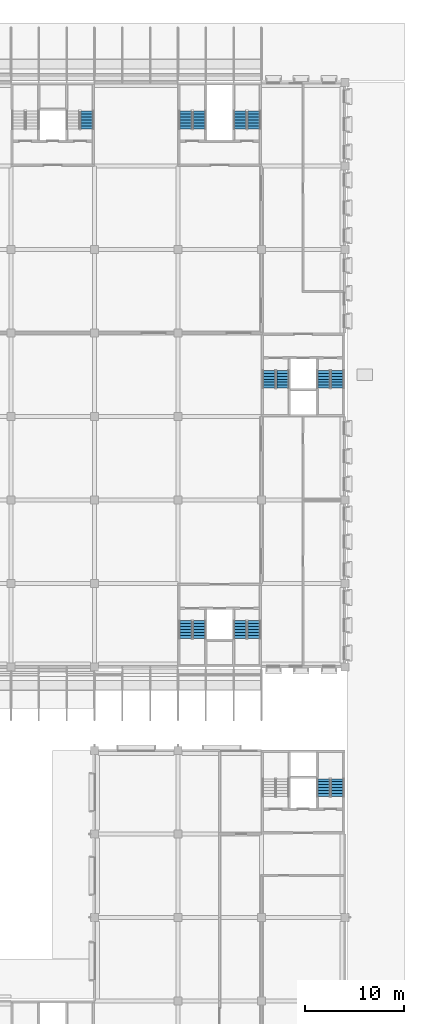
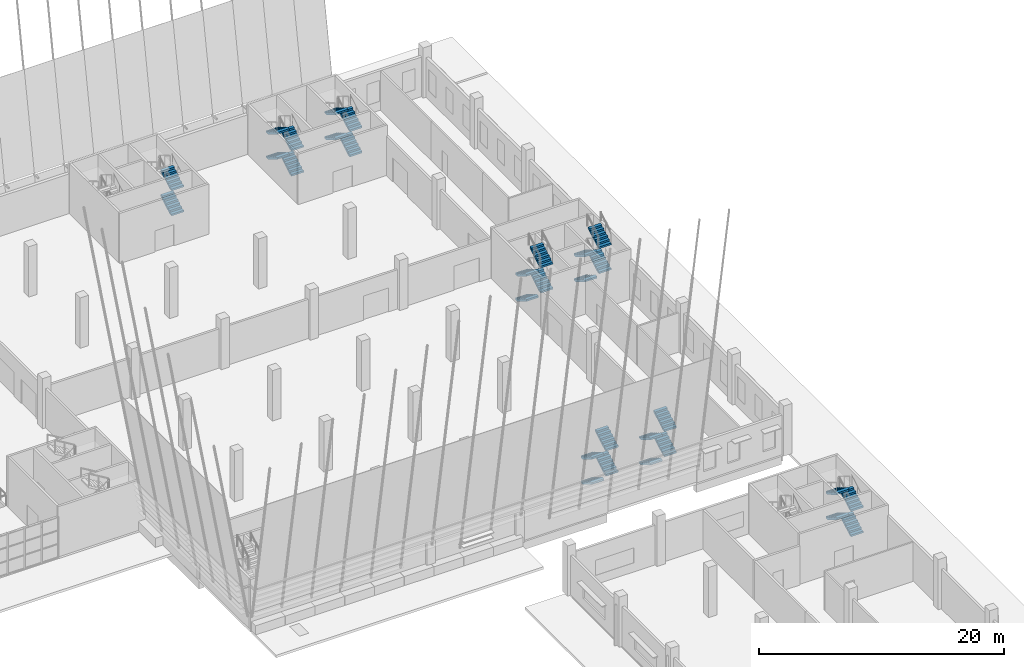
# One storey, part 46 of 101: 30 stair flights, 8 elements without a shape of their own.
"""IFC4 building model written with IfcOpenShell, lengths in metres."""

from ifc_helpers import new_model, si_unit, direction, frame, origin, place, context, subcontext, project, spatial, polyline, outline, extrude, material, type_object, element, aggregate, save


model = new_model("IFC4")

# Units and contexts
model_context = context("Model", 3, precision=1e-05, world=origin(), true_north=direction((0.0, 1.0)))
body_context = subcontext(model_context, "Body", "Model", "MODEL_VIEW")
ifc_project = project(units=[si_unit("LENGTHUNIT", "METRE"), si_unit("AREAUNIT", "SQUARE_METRE"), si_unit("VOLUMEUNIT", "CUBIC_METRE"), si_unit("PLANEANGLEUNIT", "RADIAN"), si_unit("MASSUNIT", "GRAM", prefix="KILO")], contexts=[model_context])

# Site, building, storey
site_placement = place(None, origin())
site = spatial("IfcSite", under=ifc_project, at=site_placement, CompositionType="ELEMENT")
building_placement = place(site_placement, origin())
building = spatial("IfcBuilding", under=site, at=building_placement, Name="Almond Square Museum", CompositionType="ELEMENT")
storey_placement = place(building_placement, frame((0.0, 0.0, 5.5)))
storey = spatial("IfcBuildingStorey", under=building, at=storey_placement, Name="L01", CompositionType="ELEMENT", Elevation=5.5)

# Stair, stair flights
ifc_material_1 = material(Name="Concrete C40/50", Category="concrete")
stair_type = type_object("IfcStairType", Name="Exit stair 28 risers of 179 mm", PredefinedType="HALF_TURN_STAIR", material=ifc_material_1)
stair_1_placement = place(storey_placement, origin())
stair_1 = element("IfcStair", 1, at=stair_1_placement, inside=storey, type_object=stair_type, Name="L01 stair H2-1", PredefinedType="HALF_TURN_STAIR")
ifc_material_2 = material(Name="Concrete C40/50", Category="concrete")
stair_flight_type = type_object("IfcStairFlightType", Name="Concrete flight", PredefinedType="STRAIGHT", material=ifc_material_2)
stair_flight_1_placement = place(storey_placement, frame((141.175048828125, 55.050048828125, 0.0), z_axis=(0.0, 0.0, 1.0), x_axis=(0.0, -1.0, 0.0)))
stair_flight_1 = element("IfcStairFlight", 2, at=stair_flight_1_placement, type_object=stair_flight_type, Name="ST-03 flight 1", NumberOfRisers=7, NumberOfTreads=6, PredefinedType="STRAIGHT", RiserHeight=0.178571429, TreadLength=0.3, context=body_context, shape_type="SweptSolid", body=[
    extrude(outline(polyline([(0.0, 0.0), (0.0, 0.178466796875), (0.300048828125, 0.178466796875), (0.300048828125, 0.357177734375), (0.60009765625, 0.357177734375), (0.60009765625, 0.53564453125), (0.89990234375, 0.53564453125), (0.89990234375, 0.71435546875), (1.199951171875, 0.71435546875), (1.199951171875, 0.892822265625), (1.5, 0.892822265625), (1.5, 1.071533203125), (1.800048828125, 1.071533203125), (1.800048828125, 1.25), (1.800048828125, 0.89697265625), (0.29296875, 0.0), (0.0, 0.0)])), frame((0.0, 0.574951171875, 0.0), z_axis=(0.0, -1.0, 0.0), x_axis=(1.0, 0.0, 0.0)), (0.0, 0.0, 1.0), 1.14990234375),
])
stair_flight_2_placement = place(storey_placement, frame((142.52490234375, 53.25, 1.25), z_axis=(0.0, 0.0, 1.0), x_axis=(0.0, 1.0, 0.0)))
stair_flight_2 = element("IfcStairFlight", 3, at=stair_flight_2_placement, type_object=stair_flight_type, Name="ST-03 flight 2", NumberOfRisers=7, NumberOfTreads=6, PredefinedType="STRAIGHT", RiserHeight=0.178571429, TreadLength=0.3, context=body_context, shape_type="SweptSolid", body=[
    extrude(outline(polyline([(0.0, 0.0), (0.0, 0.178466796875), (0.300048828125, 0.178466796875), (0.300048828125, 0.357177734375), (0.60009765625, 0.357177734375), (0.60009765625, 0.53564453125), (0.89990234375, 0.53564453125), (0.89990234375, 0.71435546875), (1.199951171875, 0.71435546875), (1.199951171875, 0.892822265625), (1.5, 0.892822265625), (1.5, 1.071533203125), (1.800048828125, 1.071533203125), (1.800048828125, 1.25), (1.800048828125, 0.89697265625), (0.29296875, 0.0), (0.0, 0.0)])), frame((0.0, 0.574951171875, 0.0), z_axis=(0.0, -1.0, 0.0), x_axis=(1.0, 0.0, 0.0)), (0.0, 0.0, 1.0), 1.14990234375),
])
stair_flight_3_placement = place(storey_placement, frame((141.175048828125, 55.050048828125, 2.5), z_axis=(0.0, 0.0, 1.0), x_axis=(0.0, -1.0, 0.0)))
stair_flight_3 = element("IfcStairFlight", 4, at=stair_flight_3_placement, type_object=stair_flight_type, Name="ST-03 flight 3", NumberOfRisers=7, NumberOfTreads=6, PredefinedType="STRAIGHT", RiserHeight=0.178571429, TreadLength=0.3, context=body_context, shape_type="SweptSolid", body=[
    extrude(outline(polyline([(0.0, 0.0), (0.0, 0.178466796875), (0.300048828125, 0.178466796875), (0.300048828125, 0.357177734375), (0.60009765625, 0.357177734375), (0.60009765625, 0.53564453125), (0.89990234375, 0.53564453125), (0.89990234375, 0.71435546875), (1.199951171875, 0.71435546875), (1.199951171875, 0.892822265625), (1.5, 0.892822265625), (1.5, 1.071533203125), (1.800048828125, 1.071533203125), (1.800048828125, 1.25), (1.800048828125, 0.89697265625), (0.29296875, 0.0), (0.0, 0.0)])), frame((0.0, 0.574951171875, 0.0), z_axis=(0.0, -1.0, 0.0), x_axis=(1.0, 0.0, 0.0)), (0.0, 0.0, 1.0), 1.14990234375),
])
stair_flight_4_placement = place(storey_placement, frame((142.52490234375, 53.25, 3.75), z_axis=(0.0, 0.0, 1.0), x_axis=(0.0, 1.0, 0.0)))
stair_flight_4 = element("IfcStairFlight", 5, at=stair_flight_4_placement, type_object=stair_flight_type, Name="ST-03 flight 4", NumberOfRisers=7, NumberOfTreads=6, PredefinedType="STRAIGHT", RiserHeight=0.178571429, TreadLength=0.3, context=body_context, shape_type="SweptSolid", body=[
    extrude(outline(polyline([(0.0, 0.0), (0.0, 0.178466796875), (0.300048828125, 0.178466796875), (0.300048828125, 0.357177734375), (0.60009765625, 0.357177734375), (0.60009765625, 0.53564453125), (0.89990234375, 0.53564453125), (0.89990234375, 0.71435546875), (1.199951171875, 0.71435546875), (1.199951171875, 0.892822265625), (1.5, 0.892822265625), (1.5, 1.071533203125), (1.800048828125, 1.071533203125), (1.800048828125, 1.25), (1.800048828125, 0.89697265625), (0.29296875, 0.0), (0.0, 0.0)])), frame((0.0, 0.574951171875, 0.0), z_axis=(0.0, -1.0, 0.0), x_axis=(1.0, 0.0, 0.0)), (0.0, 0.0, 1.0), 1.14990234375),
])
aggregate(stair_1, [stair_flight_1, stair_flight_2, stair_flight_3, stair_flight_4])

stair_2_placement = place(storey_placement, origin())
stair_2 = element("IfcStair", 6, at=stair_2_placement, inside=storey, type_object=stair_type, Name="L01 stair H2-2", PredefinedType="HALF_TURN_STAIR")
stair_flight_5_placement = place(storey_placement, frame((146.675048828125, 55.050048828125, 0.0), z_axis=(0.0, 0.0, 1.0), x_axis=(0.0, -1.0, 0.0)))
stair_flight_5 = element("IfcStairFlight", 7, at=stair_flight_5_placement, type_object=stair_flight_type, Name="ST-04 flight 1", NumberOfRisers=7, NumberOfTreads=6, PredefinedType="STRAIGHT", RiserHeight=0.178571429, TreadLength=0.3, context=body_context, shape_type="SweptSolid", body=[
    extrude(outline(polyline([(0.0, 0.0), (0.0, 0.178466796875), (0.300048828125, 0.178466796875), (0.300048828125, 0.357177734375), (0.60009765625, 0.357177734375), (0.60009765625, 0.53564453125), (0.89990234375, 0.53564453125), (0.89990234375, 0.71435546875), (1.199951171875, 0.71435546875), (1.199951171875, 0.892822265625), (1.5, 0.892822265625), (1.5, 1.071533203125), (1.800048828125, 1.071533203125), (1.800048828125, 1.25), (1.800048828125, 0.89697265625), (0.29296875, 0.0), (0.0, 0.0)])), frame((0.0, 0.574951171875, 0.0), z_axis=(0.0, -1.0, 0.0), x_axis=(1.0, 0.0, 0.0)), (0.0, 0.0, 1.0), 1.14990234375),
])
stair_flight_6_placement = place(storey_placement, frame((148.02490234375, 53.25, 1.25), z_axis=(0.0, 0.0, 1.0), x_axis=(0.0, 1.0, 0.0)))
stair_flight_6 = element("IfcStairFlight", 8, at=stair_flight_6_placement, type_object=stair_flight_type, Name="ST-04 flight 2", NumberOfRisers=7, NumberOfTreads=6, PredefinedType="STRAIGHT", RiserHeight=0.178571429, TreadLength=0.3, context=body_context, shape_type="SweptSolid", body=[
    extrude(outline(polyline([(0.0, 0.0), (0.0, 0.178466796875), (0.300048828125, 0.178466796875), (0.300048828125, 0.357177734375), (0.60009765625, 0.357177734375), (0.60009765625, 0.53564453125), (0.89990234375, 0.53564453125), (0.89990234375, 0.71435546875), (1.199951171875, 0.71435546875), (1.199951171875, 0.892822265625), (1.5, 0.892822265625), (1.5, 1.071533203125), (1.800048828125, 1.071533203125), (1.800048828125, 1.25), (1.800048828125, 0.89697265625), (0.29296875, 0.0), (0.0, 0.0)])), frame((0.0, 0.574951171875, 0.0), z_axis=(0.0, -1.0, 0.0), x_axis=(1.0, 0.0, 0.0)), (0.0, 0.0, 1.0), 1.14990234375),
])
stair_flight_7_placement = place(storey_placement, frame((146.675048828125, 55.050048828125, 2.5), z_axis=(0.0, 0.0, 1.0), x_axis=(0.0, -1.0, 0.0)))
stair_flight_7 = element("IfcStairFlight", 9, at=stair_flight_7_placement, type_object=stair_flight_type, Name="ST-04 flight 3", NumberOfRisers=7, NumberOfTreads=6, PredefinedType="STRAIGHT", RiserHeight=0.178571429, TreadLength=0.3, context=body_context, shape_type="SweptSolid", body=[
    extrude(outline(polyline([(0.0, 0.0), (0.0, 0.178466796875), (0.300048828125, 0.178466796875), (0.300048828125, 0.357177734375), (0.60009765625, 0.357177734375), (0.60009765625, 0.53564453125), (0.89990234375, 0.53564453125), (0.89990234375, 0.71435546875), (1.199951171875, 0.71435546875), (1.199951171875, 0.892822265625), (1.5, 0.892822265625), (1.5, 1.071533203125), (1.800048828125, 1.071533203125), (1.800048828125, 1.25), (1.800048828125, 0.89697265625), (0.29296875, 0.0), (0.0, 0.0)])), frame((0.0, 0.574951171875, 0.0), z_axis=(0.0, -1.0, 0.0), x_axis=(1.0, 0.0, 0.0)), (0.0, 0.0, 1.0), 1.14990234375),
])
stair_flight_8_placement = place(storey_placement, frame((148.02490234375, 53.25, 3.75), z_axis=(0.0, 0.0, 1.0), x_axis=(0.0, 1.0, 0.0)))
stair_flight_8 = element("IfcStairFlight", 10, at=stair_flight_8_placement, type_object=stair_flight_type, Name="ST-04 flight 4", NumberOfRisers=7, NumberOfTreads=6, PredefinedType="STRAIGHT", RiserHeight=0.178571429, TreadLength=0.3, context=body_context, shape_type="SweptSolid", body=[
    extrude(outline(polyline([(0.0, 0.0), (0.0, 0.178466796875), (0.300048828125, 0.178466796875), (0.300048828125, 0.357177734375), (0.60009765625, 0.357177734375), (0.60009765625, 0.53564453125), (0.89990234375, 0.53564453125), (0.89990234375, 0.71435546875), (1.199951171875, 0.71435546875), (1.199951171875, 0.892822265625), (1.5, 0.892822265625), (1.5, 1.071533203125), (1.800048828125, 1.071533203125), (1.800048828125, 1.25), (1.800048828125, 0.89697265625), (0.29296875, 0.0), (0.0, 0.0)])), frame((0.0, 0.574951171875, 0.0), z_axis=(0.0, -1.0, 0.0), x_axis=(1.0, 0.0, 0.0)), (0.0, 0.0, 1.0), 1.14990234375),
])
aggregate(stair_2, [stair_flight_5, stair_flight_6, stair_flight_7, stair_flight_8])

stair_3_placement = place(storey_placement, origin())
stair_3 = element("IfcStair", 11, at=stair_3_placement, inside=storey, type_object=stair_type, Name="L01 stair H3-1", PredefinedType="HALF_TURN_STAIR")
stair_flight_9_placement = place(storey_placement, frame((142.52490234375, 104.550048828125, 0.0), z_axis=(0.0, 0.0, 1.0), x_axis=(0.0, 1.0, 0.0)))
stair_flight_9 = element("IfcStairFlight", 12, at=stair_flight_9_placement, type_object=stair_flight_type, Name="ST-05 flight 1", NumberOfRisers=7, NumberOfTreads=6, PredefinedType="STRAIGHT", RiserHeight=0.178571429, TreadLength=0.3, context=body_context, shape_type="SweptSolid", body=[
    extrude(outline(polyline([(0.0, 0.0), (0.0, 0.178466796875), (0.300048828125, 0.178466796875), (0.300048828125, 0.357177734375), (0.60009765625, 0.357177734375), (0.60009765625, 0.53564453125), (0.89990234375, 0.53564453125), (0.89990234375, 0.71435546875), (1.199951171875, 0.71435546875), (1.199951171875, 0.892822265625), (1.5, 0.892822265625), (1.5, 1.071533203125), (1.800048828125, 1.071533203125), (1.800048828125, 1.25), (1.800048828125, 0.89697265625), (0.29296875, 0.0), (0.0, 0.0)])), frame((0.0, 0.574951171875, 0.0), z_axis=(0.0, -1.0, 0.0), x_axis=(1.0, 0.0, 0.0)), (0.0, 0.0, 1.0), 1.14990234375),
])
stair_flight_10_placement = place(storey_placement, frame((141.175048828125, 106.35009765625, 1.25), z_axis=(0.0, 0.0, 1.0), x_axis=(0.0, -1.0, 0.0)))
stair_flight_10 = element("IfcStairFlight", 13, at=stair_flight_10_placement, type_object=stair_flight_type, Name="ST-05 flight 2", NumberOfRisers=7, NumberOfTreads=6, PredefinedType="STRAIGHT", RiserHeight=0.178571429, TreadLength=0.3, context=body_context, shape_type="SweptSolid", body=[
    extrude(outline(polyline([(0.0, 0.0), (0.0, 0.178466796875), (0.300048828125, 0.178466796875), (0.300048828125, 0.357177734375), (0.60009765625, 0.357177734375), (0.60009765625, 0.53564453125), (0.89990234375, 0.53564453125), (0.89990234375, 0.71435546875), (1.199951171875, 0.71435546875), (1.199951171875, 0.892822265625), (1.5, 0.892822265625), (1.5, 1.071533203125), (1.800048828125, 1.071533203125), (1.800048828125, 1.25), (1.800048828125, 0.89697265625), (0.29296875, 0.0), (0.0, 0.0)])), frame((0.0, 0.574951171875, 0.0), z_axis=(0.0, -1.0, 0.0), x_axis=(1.0, 0.0, 0.0)), (0.0, 0.0, 1.0), 1.14990234375),
])
stair_flight_11_placement = place(storey_placement, frame((142.52490234375, 104.550048828125, 2.5), z_axis=(0.0, 0.0, 1.0), x_axis=(0.0, 1.0, 0.0)))
stair_flight_11 = element("IfcStairFlight", 14, at=stair_flight_11_placement, type_object=stair_flight_type, Name="ST-05 flight 3", NumberOfRisers=7, NumberOfTreads=6, PredefinedType="STRAIGHT", RiserHeight=0.178571429, TreadLength=0.3, context=body_context, shape_type="SweptSolid", body=[
    extrude(outline(polyline([(0.0, 0.0), (0.0, 0.178466796875), (0.300048828125, 0.178466796875), (0.300048828125, 0.357177734375), (0.60009765625, 0.357177734375), (0.60009765625, 0.53564453125), (0.89990234375, 0.53564453125), (0.89990234375, 0.71435546875), (1.199951171875, 0.71435546875), (1.199951171875, 0.892822265625), (1.5, 0.892822265625), (1.5, 1.071533203125), (1.800048828125, 1.071533203125), (1.800048828125, 1.25), (1.800048828125, 0.89697265625), (0.29296875, 0.0), (0.0, 0.0)])), frame((0.0, 0.574951171875, 0.0), z_axis=(0.0, -1.0, 0.0), x_axis=(1.0, 0.0, 0.0)), (0.0, 0.0, 1.0), 1.14990234375),
])
stair_flight_12_placement = place(storey_placement, frame((141.175048828125, 106.35009765625, 3.75), z_axis=(0.0, 0.0, 1.0), x_axis=(0.0, -1.0, 0.0)))
stair_flight_12 = element("IfcStairFlight", 15, at=stair_flight_12_placement, type_object=stair_flight_type, Name="ST-05 flight 4", NumberOfRisers=7, NumberOfTreads=6, PredefinedType="STRAIGHT", RiserHeight=0.178571429, TreadLength=0.3, context=body_context, shape_type="SweptSolid", body=[
    extrude(outline(polyline([(0.0, 0.0), (0.0, 0.178466796875), (0.300048828125, 0.178466796875), (0.300048828125, 0.357177734375), (0.60009765625, 0.357177734375), (0.60009765625, 0.53564453125), (0.89990234375, 0.53564453125), (0.89990234375, 0.71435546875), (1.199951171875, 0.71435546875), (1.199951171875, 0.892822265625), (1.5, 0.892822265625), (1.5, 1.071533203125), (1.800048828125, 1.071533203125), (1.800048828125, 1.25), (1.800048828125, 0.89697265625), (0.29296875, 0.0), (0.0, 0.0)])), frame((0.0, 0.574951171875, 0.0), z_axis=(0.0, -1.0, 0.0), x_axis=(1.0, 0.0, 0.0)), (0.0, 0.0, 1.0), 1.14990234375),
])
aggregate(stair_3, [stair_flight_9, stair_flight_10, stair_flight_11, stair_flight_12])

stair_4_placement = place(storey_placement, origin())
stair_4 = element("IfcStair", 16, at=stair_4_placement, inside=storey, type_object=stair_type, Name="L01 stair H3-2", PredefinedType="HALF_TURN_STAIR")
stair_flight_13_placement = place(storey_placement, frame((148.02490234375, 104.550048828125, 0.0), z_axis=(0.0, 0.0, 1.0), x_axis=(0.0, 1.0, 0.0)))
stair_flight_13 = element("IfcStairFlight", 17, at=stair_flight_13_placement, type_object=stair_flight_type, Name="ST-06 flight 1", NumberOfRisers=7, NumberOfTreads=6, PredefinedType="STRAIGHT", RiserHeight=0.178571429, TreadLength=0.3, context=body_context, shape_type="SweptSolid", body=[
    extrude(outline(polyline([(0.0, 0.0), (0.0, 0.178466796875), (0.300048828125, 0.178466796875), (0.300048828125, 0.357177734375), (0.60009765625, 0.357177734375), (0.60009765625, 0.53564453125), (0.89990234375, 0.53564453125), (0.89990234375, 0.71435546875), (1.199951171875, 0.71435546875), (1.199951171875, 0.892822265625), (1.5, 0.892822265625), (1.5, 1.071533203125), (1.800048828125, 1.071533203125), (1.800048828125, 1.25), (1.800048828125, 0.89697265625), (0.29296875, 0.0), (0.0, 0.0)])), frame((0.0, 0.574951171875, 0.0), z_axis=(0.0, -1.0, 0.0), x_axis=(1.0, 0.0, 0.0)), (0.0, 0.0, 1.0), 1.14990234375),
])
stair_flight_14_placement = place(storey_placement, frame((146.675048828125, 106.35009765625, 1.25), z_axis=(0.0, 0.0, 1.0), x_axis=(0.0, -1.0, 0.0)))
stair_flight_14 = element("IfcStairFlight", 18, at=stair_flight_14_placement, type_object=stair_flight_type, Name="ST-06 flight 2", NumberOfRisers=7, NumberOfTreads=6, PredefinedType="STRAIGHT", RiserHeight=0.178571429, TreadLength=0.3, context=body_context, shape_type="SweptSolid", body=[
    extrude(outline(polyline([(0.0, 0.0), (0.0, 0.178466796875), (0.300048828125, 0.178466796875), (0.300048828125, 0.357177734375), (0.60009765625, 0.357177734375), (0.60009765625, 0.53564453125), (0.89990234375, 0.53564453125), (0.89990234375, 0.71435546875), (1.199951171875, 0.71435546875), (1.199951171875, 0.892822265625), (1.5, 0.892822265625), (1.5, 1.071533203125), (1.800048828125, 1.071533203125), (1.800048828125, 1.25), (1.800048828125, 0.89697265625), (0.29296875, 0.0), (0.0, 0.0)])), frame((0.0, 0.574951171875, 0.0), z_axis=(0.0, -1.0, 0.0), x_axis=(1.0, 0.0, 0.0)), (0.0, 0.0, 1.0), 1.14990234375),
])
stair_flight_15_placement = place(storey_placement, frame((148.02490234375, 104.550048828125, 2.5), z_axis=(0.0, 0.0, 1.0), x_axis=(0.0, 1.0, 0.0)))
stair_flight_15 = element("IfcStairFlight", 19, at=stair_flight_15_placement, type_object=stair_flight_type, Name="ST-06 flight 3", NumberOfRisers=7, NumberOfTreads=6, PredefinedType="STRAIGHT", RiserHeight=0.178571429, TreadLength=0.3, context=body_context, shape_type="SweptSolid", body=[
    extrude(outline(polyline([(0.0, 0.0), (0.0, 0.178466796875), (0.300048828125, 0.178466796875), (0.300048828125, 0.357177734375), (0.60009765625, 0.357177734375), (0.60009765625, 0.53564453125), (0.89990234375, 0.53564453125), (0.89990234375, 0.71435546875), (1.199951171875, 0.71435546875), (1.199951171875, 0.892822265625), (1.5, 0.892822265625), (1.5, 1.071533203125), (1.800048828125, 1.071533203125), (1.800048828125, 1.25), (1.800048828125, 0.89697265625), (0.29296875, 0.0), (0.0, 0.0)])), frame((0.0, 0.574951171875, 0.0), z_axis=(0.0, -1.0, 0.0), x_axis=(1.0, 0.0, 0.0)), (0.0, 0.0, 1.0), 1.14990234375),
])
stair_flight_16_placement = place(storey_placement, frame((146.675048828125, 106.35009765625, 3.75), z_axis=(0.0, 0.0, 1.0), x_axis=(0.0, -1.0, 0.0)))
stair_flight_16 = element("IfcStairFlight", 20, at=stair_flight_16_placement, type_object=stair_flight_type, Name="ST-06 flight 4", NumberOfRisers=7, NumberOfTreads=6, PredefinedType="STRAIGHT", RiserHeight=0.178571429, TreadLength=0.3, context=body_context, shape_type="SweptSolid", body=[
    extrude(outline(polyline([(0.0, 0.0), (0.0, 0.178466796875), (0.300048828125, 0.178466796875), (0.300048828125, 0.357177734375), (0.60009765625, 0.357177734375), (0.60009765625, 0.53564453125), (0.89990234375, 0.53564453125), (0.89990234375, 0.71435546875), (1.199951171875, 0.71435546875), (1.199951171875, 0.892822265625), (1.5, 0.892822265625), (1.5, 1.071533203125), (1.800048828125, 1.071533203125), (1.800048828125, 1.25), (1.800048828125, 0.89697265625), (0.29296875, 0.0), (0.0, 0.0)])), frame((0.0, 0.574951171875, 0.0), z_axis=(0.0, -1.0, 0.0), x_axis=(1.0, 0.0, 0.0)), (0.0, 0.0, 1.0), 1.14990234375),
])
aggregate(stair_4, [stair_flight_13, stair_flight_14, stair_flight_15, stair_flight_16])

stair_5_placement = place(storey_placement, origin())
stair_5 = element("IfcStair", 21, at=stair_5_placement, inside=storey, type_object=stair_type, Name="L01 stair H4-2", PredefinedType="HALF_TURN_STAIR")
stair_flight_17_placement = place(storey_placement, frame((131.22509765625, 104.550048828125, 0.0), z_axis=(0.0, 0.0, 1.0), x_axis=(0.0, 1.0, 0.0)))
stair_flight_17 = element("IfcStairFlight", 22, at=stair_flight_17_placement, type_object=stair_flight_type, Name="ST-08 flight 1", NumberOfRisers=7, NumberOfTreads=6, PredefinedType="STRAIGHT", RiserHeight=0.178571429, TreadLength=0.3, context=body_context, shape_type="SweptSolid", body=[
    extrude(outline(polyline([(0.0, 0.0), (0.0, 0.178466796875), (0.300048828125, 0.178466796875), (0.300048828125, 0.357177734375), (0.60009765625, 0.357177734375), (0.60009765625, 0.53564453125), (0.89990234375, 0.53564453125), (0.89990234375, 0.71435546875), (1.199951171875, 0.71435546875), (1.199951171875, 0.892822265625), (1.5, 0.892822265625), (1.5, 1.071533203125), (1.800048828125, 1.071533203125), (1.800048828125, 1.25), (1.800048828125, 0.89697265625), (0.29296875, 0.0), (0.0, 0.0)])), frame((0.0, 0.574951171875, 0.0), z_axis=(0.0, -1.0, 0.0), x_axis=(1.0, 0.0, 0.0)), (0.0, 0.0, 1.0), 1.14990234375),
])
stair_flight_18_placement = place(storey_placement, frame((131.22509765625, 104.550048828125, 2.5), z_axis=(0.0, 0.0, 1.0), x_axis=(0.0, 1.0, 0.0)))
stair_flight_18 = element("IfcStairFlight", 23, at=stair_flight_18_placement, type_object=stair_flight_type, Name="ST-08 flight 3", NumberOfRisers=7, NumberOfTreads=6, PredefinedType="STRAIGHT", RiserHeight=0.178571429, TreadLength=0.3, context=body_context, shape_type="SweptSolid", body=[
    extrude(outline(polyline([(0.0, 0.0), (0.0, 0.178466796875), (0.300048828125, 0.178466796875), (0.300048828125, 0.357177734375), (0.60009765625, 0.357177734375), (0.60009765625, 0.53564453125), (0.89990234375, 0.53564453125), (0.89990234375, 0.71435546875), (1.199951171875, 0.71435546875), (1.199951171875, 0.892822265625), (1.5, 0.892822265625), (1.5, 1.071533203125), (1.800048828125, 1.071533203125), (1.800048828125, 1.25), (1.800048828125, 0.89697265625), (0.29296875, 0.0), (0.0, 0.0)])), frame((0.0, 0.574951171875, 0.0), z_axis=(0.0, -1.0, 0.0), x_axis=(1.0, 0.0, 0.0)), (0.0, 0.0, 1.0), 1.14990234375),
])
aggregate(stair_5, [stair_flight_17, stair_flight_18])

stair_6_placement = place(storey_placement, origin())
stair_6 = element("IfcStair", 24, at=stair_6_placement, inside=storey, type_object=stair_type, Name="L01 stair E1-1", PredefinedType="HALF_TURN_STAIR")
stair_flight_19_placement = place(storey_placement, frame((149.574951171875, 80.25, 0.0), z_axis=(0.0, 0.0, 1.0), x_axis=(0.0, -1.0, 0.0)))
stair_flight_19 = element("IfcStairFlight", 25, at=stair_flight_19_placement, type_object=stair_flight_type, Name="ST-25 flight 1", NumberOfRisers=7, NumberOfTreads=6, PredefinedType="STRAIGHT", RiserHeight=0.178571429, TreadLength=0.3, context=body_context, shape_type="SweptSolid", body=[
    extrude(outline(polyline([(0.0, 0.0), (0.0, 0.178466796875), (0.300048828125, 0.178466796875), (0.300048828125, 0.357177734375), (0.60009765625, 0.357177734375), (0.60009765625, 0.53564453125), (0.89990234375, 0.53564453125), (0.89990234375, 0.71435546875), (1.199951171875, 0.71435546875), (1.199951171875, 0.892822265625), (1.5, 0.892822265625), (1.5, 1.071533203125), (1.800048828125, 1.071533203125), (1.800048828125, 1.25), (1.800048828125, 0.89697265625), (0.29296875, 0.0), (0.0, 0.0)])), frame((0.0, 0.574951171875, 0.0), z_axis=(0.0, -1.0, 0.0), x_axis=(1.0, 0.0, 0.0)), (0.0, 0.0, 1.0), 1.14990234375),
])
stair_flight_20_placement = place(storey_placement, frame((150.925048828125, 78.449951171875, 1.25), z_axis=(0.0, 0.0, 1.0), x_axis=(0.0, 1.0, 0.0)))
stair_flight_20 = element("IfcStairFlight", 26, at=stair_flight_20_placement, type_object=stair_flight_type, Name="ST-25 flight 2", NumberOfRisers=7, NumberOfTreads=6, PredefinedType="STRAIGHT", RiserHeight=0.178571429, TreadLength=0.3, context=body_context, shape_type="SweptSolid", body=[
    extrude(outline(polyline([(0.0, 0.0), (0.0, 0.178466796875), (0.300048828125, 0.178466796875), (0.300048828125, 0.357177734375), (0.60009765625, 0.357177734375), (0.60009765625, 0.53564453125), (0.89990234375, 0.53564453125), (0.89990234375, 0.71435546875), (1.199951171875, 0.71435546875), (1.199951171875, 0.892822265625), (1.5, 0.892822265625), (1.5, 1.071533203125), (1.800048828125, 1.071533203125), (1.800048828125, 1.25), (1.800048828125, 0.89697265625), (0.29296875, 0.0), (0.0, 0.0)])), frame((0.0, 0.574951171875, 0.0), z_axis=(0.0, -1.0, 0.0), x_axis=(1.0, 0.0, 0.0)), (0.0, 0.0, 1.0), 1.14990234375),
])
stair_flight_21_placement = place(storey_placement, frame((149.574951171875, 80.25, 2.5), z_axis=(0.0, 0.0, 1.0), x_axis=(0.0, -1.0, 0.0)))
stair_flight_21 = element("IfcStairFlight", 27, at=stair_flight_21_placement, type_object=stair_flight_type, Name="ST-25 flight 3", NumberOfRisers=7, NumberOfTreads=6, PredefinedType="STRAIGHT", RiserHeight=0.178571429, TreadLength=0.3, context=body_context, shape_type="SweptSolid", body=[
    extrude(outline(polyline([(0.0, 0.0), (0.0, 0.178466796875), (0.300048828125, 0.178466796875), (0.300048828125, 0.357177734375), (0.60009765625, 0.357177734375), (0.60009765625, 0.53564453125), (0.89990234375, 0.53564453125), (0.89990234375, 0.71435546875), (1.199951171875, 0.71435546875), (1.199951171875, 0.892822265625), (1.5, 0.892822265625), (1.5, 1.071533203125), (1.800048828125, 1.071533203125), (1.800048828125, 1.25), (1.800048828125, 0.89697265625), (0.29296875, 0.0), (0.0, 0.0)])), frame((0.0, 0.574951171875, 0.0), z_axis=(0.0, -1.0, 0.0), x_axis=(1.0, 0.0, 0.0)), (0.0, 0.0, 1.0), 1.14990234375),
])
stair_flight_22_placement = place(storey_placement, frame((150.925048828125, 78.449951171875, 3.75), z_axis=(0.0, 0.0, 1.0), x_axis=(0.0, 1.0, 0.0)))
stair_flight_22 = element("IfcStairFlight", 28, at=stair_flight_22_placement, type_object=stair_flight_type, Name="ST-25 flight 4", NumberOfRisers=7, NumberOfTreads=6, PredefinedType="STRAIGHT", RiserHeight=0.178571429, TreadLength=0.3, context=body_context, shape_type="SweptSolid", body=[
    extrude(outline(polyline([(0.0, 0.0), (0.0, 0.178466796875), (0.300048828125, 0.178466796875), (0.300048828125, 0.357177734375), (0.60009765625, 0.357177734375), (0.60009765625, 0.53564453125), (0.89990234375, 0.53564453125), (0.89990234375, 0.71435546875), (1.199951171875, 0.71435546875), (1.199951171875, 0.892822265625), (1.5, 0.892822265625), (1.5, 1.071533203125), (1.800048828125, 1.071533203125), (1.800048828125, 1.25), (1.800048828125, 0.89697265625), (0.29296875, 0.0), (0.0, 0.0)])), frame((0.0, 0.574951171875, 0.0), z_axis=(0.0, -1.0, 0.0), x_axis=(1.0, 0.0, 0.0)), (0.0, 0.0, 1.0), 1.14990234375),
])
aggregate(stair_6, [stair_flight_19, stair_flight_20, stair_flight_21, stair_flight_22])

stair_7_placement = place(storey_placement, origin())
stair_7 = element("IfcStair", 29, at=stair_7_placement, inside=storey, type_object=stair_type, Name="L01 stair E1-2", PredefinedType="HALF_TURN_STAIR")
stair_flight_23_placement = place(storey_placement, frame((155.074951171875, 80.25, 0.0), z_axis=(0.0, 0.0, 1.0), x_axis=(0.0, -1.0, 0.0)))
stair_flight_23 = element("IfcStairFlight", 30, at=stair_flight_23_placement, type_object=stair_flight_type, Name="ST-26 flight 1", NumberOfRisers=7, NumberOfTreads=6, PredefinedType="STRAIGHT", RiserHeight=0.178571429, TreadLength=0.3, context=body_context, shape_type="SweptSolid", body=[
    extrude(outline(polyline([(0.0, 0.0), (0.0, 0.178466796875), (0.300048828125, 0.178466796875), (0.300048828125, 0.357177734375), (0.60009765625, 0.357177734375), (0.60009765625, 0.53564453125), (0.89990234375, 0.53564453125), (0.89990234375, 0.71435546875), (1.199951171875, 0.71435546875), (1.199951171875, 0.892822265625), (1.5, 0.892822265625), (1.5, 1.071533203125), (1.800048828125, 1.071533203125), (1.800048828125, 1.25), (1.800048828125, 0.89697265625), (0.29296875, 0.0), (0.0, 0.0)])), frame((0.0, 0.574951171875, 0.0), z_axis=(0.0, -1.0, 0.0), x_axis=(1.0, 0.0, 0.0)), (0.0, 0.0, 1.0), 1.14990234375),
])
stair_flight_24_placement = place(storey_placement, frame((156.425048828125, 78.449951171875, 1.25), z_axis=(0.0, 0.0, 1.0), x_axis=(0.0, 1.0, 0.0)))
stair_flight_24 = element("IfcStairFlight", 31, at=stair_flight_24_placement, type_object=stair_flight_type, Name="ST-26 flight 2", NumberOfRisers=7, NumberOfTreads=6, PredefinedType="STRAIGHT", RiserHeight=0.178571429, TreadLength=0.3, context=body_context, shape_type="SweptSolid", body=[
    extrude(outline(polyline([(0.0, 0.0), (0.0, 0.178466796875), (0.300048828125, 0.178466796875), (0.300048828125, 0.357177734375), (0.60009765625, 0.357177734375), (0.60009765625, 0.53564453125), (0.89990234375, 0.53564453125), (0.89990234375, 0.71435546875), (1.199951171875, 0.71435546875), (1.199951171875, 0.892822265625), (1.5, 0.892822265625), (1.5, 1.071533203125), (1.800048828125, 1.071533203125), (1.800048828125, 1.25), (1.800048828125, 0.89697265625), (0.29296875, 0.0), (0.0, 0.0)])), frame((0.0, 0.574951171875, 0.0), z_axis=(0.0, -1.0, 0.0), x_axis=(1.0, 0.0, 0.0)), (0.0, 0.0, 1.0), 1.14990234375),
])
stair_flight_25_placement = place(storey_placement, frame((155.074951171875, 80.25, 2.5), z_axis=(0.0, 0.0, 1.0), x_axis=(0.0, -1.0, 0.0)))
stair_flight_25 = element("IfcStairFlight", 32, at=stair_flight_25_placement, type_object=stair_flight_type, Name="ST-26 flight 3", NumberOfRisers=7, NumberOfTreads=6, PredefinedType="STRAIGHT", RiserHeight=0.178571429, TreadLength=0.3, context=body_context, shape_type="SweptSolid", body=[
    extrude(outline(polyline([(0.0, 0.0), (0.0, 0.178466796875), (0.300048828125, 0.178466796875), (0.300048828125, 0.357177734375), (0.60009765625, 0.357177734375), (0.60009765625, 0.53564453125), (0.89990234375, 0.53564453125), (0.89990234375, 0.71435546875), (1.199951171875, 0.71435546875), (1.199951171875, 0.892822265625), (1.5, 0.892822265625), (1.5, 1.071533203125), (1.800048828125, 1.071533203125), (1.800048828125, 1.25), (1.800048828125, 0.89697265625), (0.29296875, 0.0), (0.0, 0.0)])), frame((0.0, 0.574951171875, 0.0), z_axis=(0.0, -1.0, 0.0), x_axis=(1.0, 0.0, 0.0)), (0.0, 0.0, 1.0), 1.14990234375),
])
stair_flight_26_placement = place(storey_placement, frame((156.425048828125, 78.449951171875, 3.75), z_axis=(0.0, 0.0, 1.0), x_axis=(0.0, 1.0, 0.0)))
stair_flight_26 = element("IfcStairFlight", 33, at=stair_flight_26_placement, type_object=stair_flight_type, Name="ST-26 flight 4", NumberOfRisers=7, NumberOfTreads=6, PredefinedType="STRAIGHT", RiserHeight=0.178571429, TreadLength=0.3, context=body_context, shape_type="SweptSolid", body=[
    extrude(outline(polyline([(0.0, 0.0), (0.0, 0.178466796875), (0.300048828125, 0.178466796875), (0.300048828125, 0.357177734375), (0.60009765625, 0.357177734375), (0.60009765625, 0.53564453125), (0.89990234375, 0.53564453125), (0.89990234375, 0.71435546875), (1.199951171875, 0.71435546875), (1.199951171875, 0.892822265625), (1.5, 0.892822265625), (1.5, 1.071533203125), (1.800048828125, 1.071533203125), (1.800048828125, 1.25), (1.800048828125, 0.89697265625), (0.29296875, 0.0), (0.0, 0.0)])), frame((0.0, 0.574951171875, 0.0), z_axis=(0.0, -1.0, 0.0), x_axis=(1.0, 0.0, 0.0)), (0.0, 0.0, 1.0), 1.14990234375),
])
aggregate(stair_7, [stair_flight_23, stair_flight_24, stair_flight_25, stair_flight_26])

stair_8_placement = place(storey_placement, origin())
stair_8 = element("IfcStair", 34, at=stair_8_placement, inside=storey, type_object=stair_type, Name="L01 stair X1-2", PredefinedType="HALF_TURN_STAIR")
stair_flight_27_placement = place(storey_placement, frame((156.425048828125, 37.35009765625, 0.0), z_axis=(0.0, 0.0, 1.0), x_axis=(0.0, 1.0, 0.0)))
stair_flight_27 = element("IfcStairFlight", 35, at=stair_flight_27_placement, type_object=stair_flight_type, Name="ST-34 flight 1", NumberOfRisers=7, NumberOfTreads=6, PredefinedType="STRAIGHT", RiserHeight=0.178571429, TreadLength=0.3, context=body_context, shape_type="SweptSolid", body=[
    extrude(outline(polyline([(0.0, 0.0), (0.0, 0.178466796875), (0.300048828125, 0.178466796875), (0.300048828125, 0.357177734375), (0.60009765625, 0.357177734375), (0.60009765625, 0.53564453125), (0.89990234375, 0.53564453125), (0.89990234375, 0.71435546875), (1.199951171875, 0.71435546875), (1.199951171875, 0.892822265625), (1.5, 0.892822265625), (1.5, 1.071533203125), (1.800048828125, 1.071533203125), (1.800048828125, 1.25), (1.800048828125, 0.89697265625), (0.29296875, 0.0), (0.0, 0.0)])), frame((0.0, 0.574951171875, 0.0), z_axis=(0.0, -1.0, 0.0), x_axis=(1.0, 0.0, 0.0)), (0.0, 0.0, 1.0), 1.14990234375),
])
stair_flight_28_placement = place(storey_placement, frame((155.074951171875, 39.14990234375, 1.25), z_axis=(0.0, 0.0, 1.0), x_axis=(0.0, -1.0, 0.0)))
stair_flight_28 = element("IfcStairFlight", 36, at=stair_flight_28_placement, type_object=stair_flight_type, Name="ST-34 flight 2", NumberOfRisers=7, NumberOfTreads=6, PredefinedType="STRAIGHT", RiserHeight=0.178571429, TreadLength=0.3, context=body_context, shape_type="SweptSolid", body=[
    extrude(outline(polyline([(0.0, 0.0), (0.0, 0.178466796875), (0.300048828125, 0.178466796875), (0.300048828125, 0.357177734375), (0.60009765625, 0.357177734375), (0.60009765625, 0.53564453125), (0.89990234375, 0.53564453125), (0.89990234375, 0.71435546875), (1.199951171875, 0.71435546875), (1.199951171875, 0.892822265625), (1.5, 0.892822265625), (1.5, 1.071533203125), (1.800048828125, 1.071533203125), (1.800048828125, 1.25), (1.800048828125, 0.89697265625), (0.29296875, 0.0), (0.0, 0.0)])), frame((0.0, 0.574951171875, 0.0), z_axis=(0.0, -1.0, 0.0), x_axis=(1.0, 0.0, 0.0)), (0.0, 0.0, 1.0), 1.14990234375),
])
stair_flight_29_placement = place(storey_placement, frame((156.425048828125, 37.35009765625, 2.5), z_axis=(0.0, 0.0, 1.0), x_axis=(0.0, 1.0, 0.0)))
stair_flight_29 = element("IfcStairFlight", 37, at=stair_flight_29_placement, type_object=stair_flight_type, Name="ST-34 flight 3", NumberOfRisers=7, NumberOfTreads=6, PredefinedType="STRAIGHT", RiserHeight=0.178571429, TreadLength=0.3, context=body_context, shape_type="SweptSolid", body=[
    extrude(outline(polyline([(0.0, 0.0), (0.0, 0.178466796875), (0.300048828125, 0.178466796875), (0.300048828125, 0.357177734375), (0.60009765625, 0.357177734375), (0.60009765625, 0.53564453125), (0.89990234375, 0.53564453125), (0.89990234375, 0.71435546875), (1.199951171875, 0.71435546875), (1.199951171875, 0.892822265625), (1.5, 0.892822265625), (1.5, 1.071533203125), (1.800048828125, 1.071533203125), (1.800048828125, 1.25), (1.800048828125, 0.89697265625), (0.29296875, 0.0), (0.0, 0.0)])), frame((0.0, 0.574951171875, 0.0), z_axis=(0.0, -1.0, 0.0), x_axis=(1.0, 0.0, 0.0)), (0.0, 0.0, 1.0), 1.14990234375),
])
stair_flight_30_placement = place(storey_placement, frame((155.074951171875, 39.14990234375, 3.75), z_axis=(0.0, 0.0, 1.0), x_axis=(0.0, -1.0, 0.0)))
stair_flight_30 = element("IfcStairFlight", 38, at=stair_flight_30_placement, type_object=stair_flight_type, Name="ST-34 flight 4", NumberOfRisers=7, NumberOfTreads=6, PredefinedType="STRAIGHT", RiserHeight=0.178571429, TreadLength=0.3, context=body_context, shape_type="SweptSolid", body=[
    extrude(outline(polyline([(0.0, 0.0), (0.0, 0.178466796875), (0.300048828125, 0.178466796875), (0.300048828125, 0.357177734375), (0.60009765625, 0.357177734375), (0.60009765625, 0.53564453125), (0.89990234375, 0.53564453125), (0.89990234375, 0.71435546875), (1.199951171875, 0.71435546875), (1.199951171875, 0.892822265625), (1.5, 0.892822265625), (1.5, 1.071533203125), (1.800048828125, 1.071533203125), (1.800048828125, 1.25), (1.800048828125, 0.89697265625), (0.29296875, 0.0), (0.0, 0.0)])), frame((0.0, 0.574951171875, 0.0), z_axis=(0.0, -1.0, 0.0), x_axis=(1.0, 0.0, 0.0)), (0.0, 0.0, 1.0), 1.14990234375),
])
aggregate(stair_8, [stair_flight_27, stair_flight_28, stair_flight_29, stair_flight_30])

save(model, "model.ifc")
